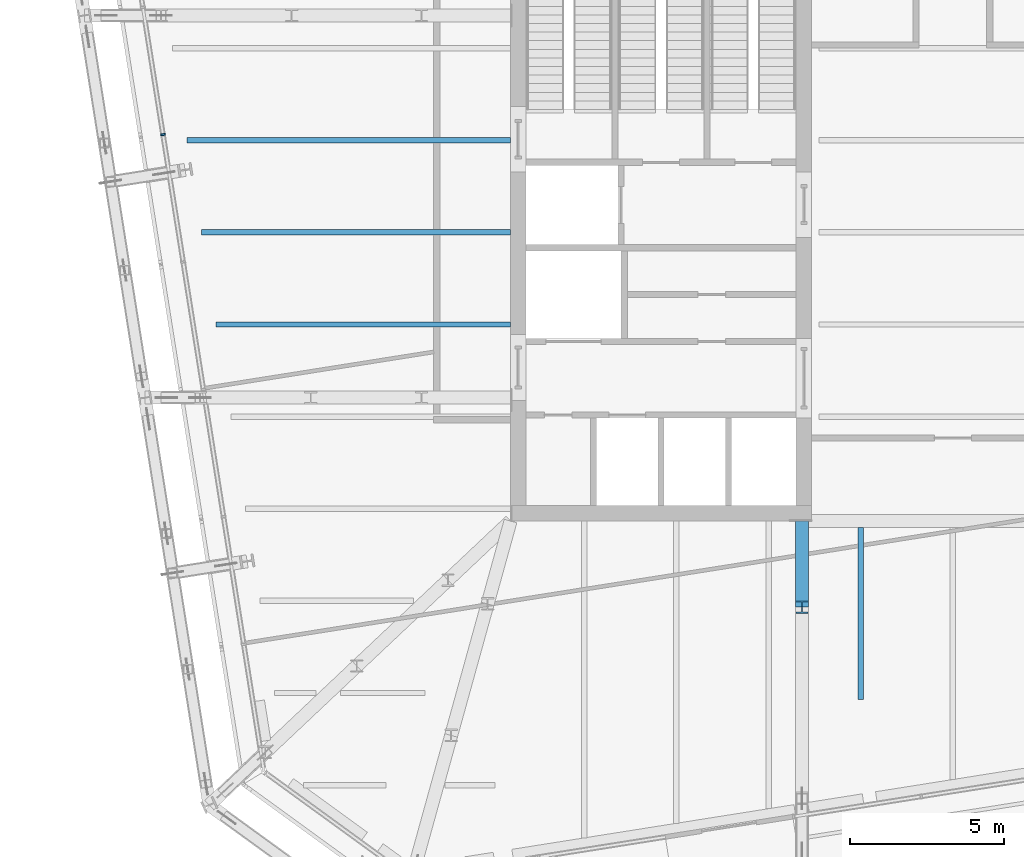
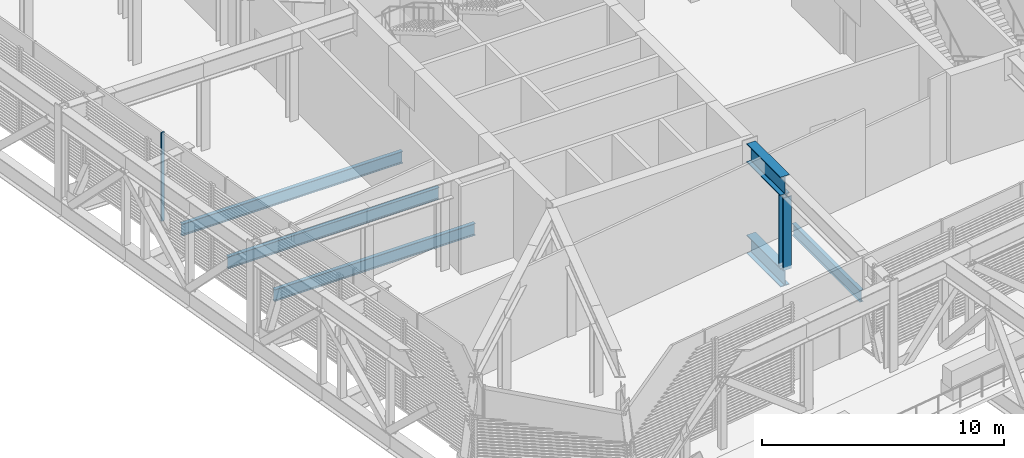
# One storey, part 7 of 35: 6 beams, 2 members, 1 element without a shape of its own.
"""IFC4 building model written with IfcOpenShell, lengths in metres."""

from ifc_helpers import new_model, si_unit, direction, frame, origin, origin_2d, place, context, subcontext, project, spatial, rectangle, i_section, extrude, material, layer, layer_set, material_profile, profile_set, type_object, element, aggregate, save


model = new_model("IFC4")

# Units and contexts
model_context = context("Model", 3, precision=1e-05, world=origin(), true_north=direction((0.0, 1.0)))
body_context = subcontext(model_context, "Body", "Model", "MODEL_VIEW")
ifc_project = project(units=[si_unit("LENGTHUNIT", "METRE"), si_unit("AREAUNIT", "SQUARE_METRE"), si_unit("VOLUMEUNIT", "CUBIC_METRE"), si_unit("PLANEANGLEUNIT", "RADIAN"), si_unit("MASSUNIT", "GRAM", prefix="KILO")], contexts=[model_context])

# Site, building, storey
site_placement = place(None, origin())
site = spatial("IfcSite", under=ifc_project, at=site_placement, CompositionType="ELEMENT")
building_placement = place(site_placement, origin())
building = spatial("IfcBuilding", under=site, at=building_placement, Name="Millrace Tower", CompositionType="ELEMENT")
storey_placement = place(building_placement, frame((0.0, 0.0, 200.10009765625)))
storey = spatial("IfcBuildingStorey", under=building, at=storey_placement, Name="L45", CompositionType="ELEMENT", Elevation=200.10009765625)

# Curtain wall, member
ifc_material_1 = material(Name="Aluminium and glass", Category="aluminium")
ifc_layer = layer(ifc_material_1, 0.14990234375)
ifc_layer_set = layer_set([ifc_layer], Name="Aluminium and glass")
curtain_wall_type = type_object("IfcCurtainWallType", Name="CW-5 truss and plant storey louvred infill", PredefinedType="NOTDEFINED", material=ifc_layer_set)
curtain_wall_placement = place(storey_placement, origin())
curtain_wall = element("IfcCurtainWall", 1, at=curtain_wall_placement, inside=storey, type_object=curtain_wall_type, Name="Curtain wall D-F08 L45", PredefinedType="NOTDEFINED")
ifc_material_2 = material(Name="Aluminium", Category="aluminium")
ifc_material_profile_1 = material_profile(ifc_material_2, rectangle(XDim=0.06494140625, YDim=0.14990234375, at=origin_2d()))
ifc_profile_set_1 = profile_set([ifc_material_profile_1], Name="Aluminium")
member_type_1 = type_object("IfcMemberType", Name="CW-5 truss and plant storey louvred infill mullion", PredefinedType="MULLION", material=ifc_profile_set_1)
member_1_placement = place(storey_placement, frame((-25.71435546875, 3.182373046875, 0.139892578125), z_axis=(0.0, 0.0, 1.0), x_axis=(0.156434471884, -0.987688339511, 0.0)))
member_1 = element("IfcMember", 2, at=member_1_placement, type_object=member_type_1, Name="CW5 mullion D-F08.5", PredefinedType="MULLION", context=body_context, shape_type="SweptSolid", body=[
    extrude(rectangle(XDim=0.06494140625, YDim=0.14990234375, at=origin_2d()), origin(), (0.0, 0.0, 1.0), 4.4599609375),
])
aggregate(curtain_wall, [member_1])

# Beams
ifc_material_3 = material(Name="Steel ASTM A992 Grade 50", Category="steel")
ifc_material_profile_2 = material_profile(ifc_material_3, i_section(OverallWidth=0.177978515625, OverallDepth=0.599365234375, WebThickness=0.010009765625, FlangeThickness=0.012939453125, FilletRadius=0.012939453125, at=origin_2d()))
ifc_profile_set_2 = profile_set([ifc_material_profile_2], Name="Steel ASTM A992 Grade 50")
beam_type_1 = type_object("IfcBeamType", Name="Floor beam W24x55", PredefinedType="JOIST", material=ifc_profile_set_2)
beam_1_placement = place(storey_placement, frame((-3.0, -15.2080078125, -0.459716796875), z_axis=(0.0, 1.0, 0.0), x_axis=(-1.0, 0.0, 0.0)))
element("IfcBeam", 3, at=beam_1_placement, inside=storey, type_object=beam_type_1, Name="BM-D-L45-S1-S043", PredefinedType="JOIST", context=body_context, shape_type="SweptSolid", body=[
    extrude(i_section(OverallWidth=0.177978515625, OverallDepth=0.599365234375, WebThickness=0.010009765625, FlangeThickness=0.012939453125, FilletRadius=0.012939453125, at=origin_2d()), origin(), (0.0, 0.0, 1.0), 5.598388671875),
])
beam_2_placement = place(storey_placement, frame((-23.982177734375, -3.0, -0.459716796875), z_axis=(1.0, 0.0, 0.0), x_axis=(0.0, 1.0, 0.0)))
element("IfcBeam", 4, at=beam_2_placement, inside=storey, type_object=beam_type_1, Name="BM-D-L45-S1-S012", PredefinedType="JOIST", context=body_context, shape_type="SweptSolid", body=[
    extrude(i_section(OverallWidth=0.177978515625, OverallDepth=0.599365234375, WebThickness=0.010009765625, FlangeThickness=0.012939453125, FilletRadius=0.012939453125, at=origin_2d()), origin(), (0.0, 0.0, 1.0), 9.582275390625),
])
ifc_material_4 = material(Name="Steel ASTM A992 Grade 50", Category="steel")
ifc_material_profile_3 = material_profile(ifc_material_4, i_section(OverallWidth=0.1787109375, OverallDepth=0.60205078125, WebThickness=0.010986328125, FlangeThickness=0.014892578125, FilletRadius=0.0126953125, at=origin_2d()))
ifc_profile_set_3 = profile_set([ifc_material_profile_3], Name="Steel ASTM A992 Grade 50")
beam_type_2 = type_object("IfcBeamType", Name="Floor beam W24x62", PredefinedType="JOIST", material=ifc_profile_set_3)
beam_3_placement = place(storey_placement, frame((-24.932373046875, 3.0, -0.461181640625), z_axis=(1.0, 0.0, 0.0), x_axis=(0.0, 1.0, 0.0)))
element("IfcBeam", 5, at=beam_3_placement, inside=storey, type_object=beam_type_2, Name="BM-D-L45-S1-S018", PredefinedType="JOIST", context=body_context, shape_type="SweptSolid", body=[
    extrude(i_section(OverallWidth=0.1787109375, OverallDepth=0.60205078125, WebThickness=0.010986328125, FlangeThickness=0.014892578125, FilletRadius=0.0126953125, at=origin_2d()), origin(), (0.0, 0.0, 1.0), 10.532470703125),
])
beam_4_placement = place(storey_placement, frame((-24.457275390625, 0.0, -0.461181640625), z_axis=(1.0, 0.0, 0.0), x_axis=(0.0, 1.0, 0.0)))
element("IfcBeam", 6, at=beam_4_placement, inside=storey, type_object=beam_type_2, Name="BM-D-L45-S1-S015", PredefinedType="JOIST", context=body_context, shape_type="SweptSolid", body=[
    extrude(i_section(OverallWidth=0.1787109375, OverallDepth=0.60205078125, WebThickness=0.010986328125, FlangeThickness=0.014892578125, FilletRadius=0.0126953125, at=origin_2d()), origin(), (0.0, 0.0, 1.0), 10.057373046875),
])

# Member
ifc_material_5 = material(Name="Steel ASTM A992 Grade 50", Category="steel")
ifc_material_profile_4 = material_profile(ifc_material_5, i_section(OverallWidth=0.40380859375, OverallDepth=0.406494140625, WebThickness=0.027099609375, FlangeThickness=0.043701171875, FilletRadius=0.01513671875, at=origin_2d()))
ifc_profile_set_4 = profile_set([ifc_material_profile_4], Name="Steel ASTM A992 Grade 50")
member_type_2 = type_object("IfcMemberType", Name="Transfer truss Vierendeel moment post W14x233", PredefinedType="POST", material=ifc_profile_set_4)
member_2_placement = place(storey_placement, frame((-4.91162109375, -12.199951171875, -0.16015625), z_axis=(0.0, 0.0, 1.0), x_axis=(1.0, 0.0, 0.0)))
element("IfcMember", 7, at=member_2_placement, inside=storey, type_object=member_type_2, Name="TRS-L45-C03-V02", PredefinedType="POST", context=body_context, shape_type="SweptSolid", body=[
    extrude(i_section(OverallWidth=0.40380859375, OverallDepth=0.406494140625, WebThickness=0.027099609375, FlangeThickness=0.043701171875, FilletRadius=0.01513671875, at=origin_2d()), origin(), (0.0, 0.0, 1.0), 3.652587890625),
])

# Beams
ifc_material_6 = material(Name="Steel ASTM A992 Grade 50", Category="steel")
ifc_material_profile_5 = material_profile(ifc_material_6, i_section(OverallWidth=0.424072265625, OverallDepth=0.947509765625, WebThickness=0.02392578125, FlangeThickness=0.042724609375, FilletRadius=0.024169921875, at=origin_2d()))
ifc_profile_set_5 = profile_set([ifc_material_profile_5], Name="Steel ASTM A992 Grade 50")
beam_type_3 = type_object("IfcBeamType", Name="Transfer truss chord W36x302", PredefinedType="BEAM", material=ifc_profile_set_5)
for number, where, z_axis, x_axis, name in (
    (8, (-4.91162109375, -12.199951171875, -0.6337890625), (0.0, 1.0, 0.0), (-1.0, 0.0, 0.0), "TRS-L45-C03-B03"),
    (9, (-4.91162109375, -12.199951171875, 3.96630859375), (0.0, 1.0, 0.0), (-1.0, 0.0, 0.0), "TRS-L45-C03-T03"),
):
    element("IfcBeam", number, at=place(storey_placement, frame(where, z_axis=z_axis, x_axis=x_axis)), inside=storey, type_object=beam_type_3, Name=name, PredefinedType="BEAM", context=body_context, shape_type="SweptSolid", body=[
        extrude(i_section(OverallWidth=0.424072265625, OverallDepth=0.947509765625, WebThickness=0.02392578125, FlangeThickness=0.042724609375, FilletRadius=0.024169921875, at=origin_2d()), origin(), (0.0, 0.0, 1.0), 2.800048828125),
    ])

save(model, "model.ifc")
